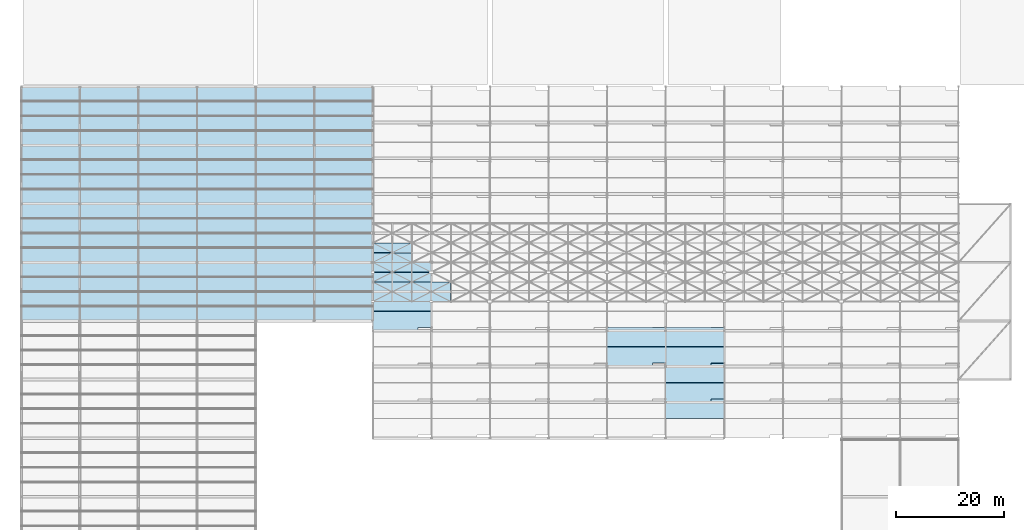
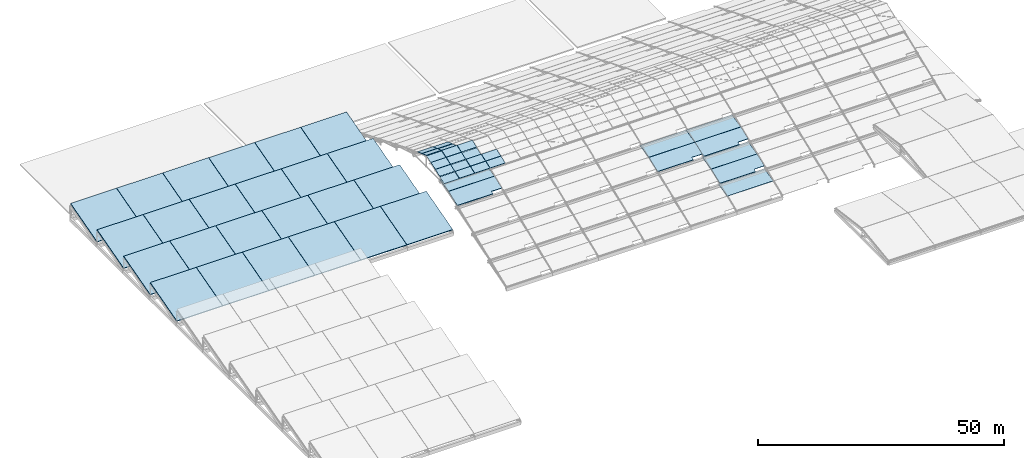
# One storey, part 97 of 112: 33 slabs, 18 plates, 7 elements without a shape of their own.
"""IFC4 building model written with IfcOpenShell, lengths in metres."""

from ifc_helpers import new_model, si_unit, direction, frame, origin, place, context, subcontext, project, spatial, polyline, outline, extrude, material, layer, layer_set, type_object, element, aggregate, save


model = new_model("IFC4")

# Units and contexts
model_context = context("Model", 3, precision=1e-05, world=origin(), true_north=direction((0.0, 1.0)))
body_context = subcontext(model_context, "Body", "Model", "MODEL_VIEW")
ifc_project = project(units=[si_unit("LENGTHUNIT", "METRE"), si_unit("AREAUNIT", "SQUARE_METRE"), si_unit("VOLUMEUNIT", "CUBIC_METRE"), si_unit("PLANEANGLEUNIT", "RADIAN"), si_unit("MASSUNIT", "GRAM", prefix="KILO")], contexts=[model_context])

# Site, building, storey
site_placement = place(None, origin())
site = spatial("IfcSite", under=ifc_project, at=site_placement, CompositionType="ELEMENT")
building_placement = place(site_placement, origin())
building = spatial("IfcBuilding", under=site, at=building_placement, Name="Zwinboog Wholesale Market", CompositionType="ELEMENT")
storey_placement = place(building_placement, frame((0.0, 0.0, 19.080078125)))
storey = spatial("IfcBuildingStorey", under=building, at=storey_placement, Name="Roof", CompositionType="ELEMENT", Elevation=19.080078125)

# Roof, slabs
ifc_material_1 = material(Name="Concrete C50/60", Category="concrete")
roof_type_1 = type_object("IfcRoofType", Name="RFT-SHELL-BARREL", PredefinedType="BARREL_ROOF", material=ifc_material_1)
roof_1_placement = place(storey_placement, origin())
roof_1 = element("IfcRoof", 1, at=roof_1_placement, inside=storey, type_object=roof_type_1, Name="RF-SH (ROOF-BARREL-01)", PredefinedType="BARREL_ROOF")
ifc_layer_1 = layer(ifc_material_1, 0.159912109375)
ifc_layer_set_1 = layer_set([ifc_layer_1], Name="Concrete C50/60")
slab_type_1 = type_object("IfcSlabType", Name="SLT-SH-160", PredefinedType="ROOF", material=ifc_layer_set_1)
slab_1_placement = place(storey_placement, frame((118.81005859375, 46.81005859375, -8.135009765625), z_axis=(0.0, -0.219374447053, 0.975640739197), x_axis=(1.0, 0.0, 0.0)))
slab_1 = element("IfcSlab", 2, at=slab_1_placement, type_object=slab_type_1, Name="SH-160 (SLB-SH-ST1-B06-2)", PredefinedType="ROOF", context=body_context, shape_type="SweptSolid", body=[
    extrude(outline(polyline([(0.0, 0.0), (10.780029296875, 0.0), (10.780029296875, 3.6692133082944967), (0.0, 3.6692133082944967), (0.0, 0.0)])), origin(), (0.0, 0.0, -1.0), 0.159912109375),
])
ifc_layer_2 = layer(ifc_material_1, 0.172119140625)
ifc_layer_set_2 = layer_set([ifc_layer_2], Name="Concrete C50/60")
slab_type_2 = type_object("IfcSlabType", Name="SLT-SH-172", PredefinedType="ROOF", material=ifc_layer_set_2)
slab_2_placement = place(storey_placement, frame((118.81005859375, 49.81005859375, -6.780029296875), z_axis=(1.249569e-06, -0.351705539728, 0.936110684334), x_axis=(0.999999999999, 4.3948e-07, -1.169735e-06)))
slab_2 = element("IfcSlab", 3, at=slab_2_placement, type_object=slab_type_2, Name="SH-172 (SLB-SH-ST2-B06-1)", PredefinedType="ROOF", context=body_context, shape_type="SweptSolid", body=[
    extrude(outline(polyline([(0.0, 0.0), (8.379882812493458, 0.0), (8.379882812527123, 0.6407832433051913), (10.78002929690025, 0.6407832433051913), (10.78002929687408, 3.824154487977018), (7.495290763518035e-12, 3.824154487977018), (0.0, 0.0)])), origin(), (0.0, 0.0, -1.0), 0.172119140625),
])
slab_3_placement = place(storey_placement, frame((118.81005859375, 53.409912109375, -5.43505859375), z_axis=(0.0, -0.219360206869, 0.975643941017), x_axis=(1.0, 0.0, 0.0)))
slab_3 = element("IfcSlab", 4, at=slab_3_placement, type_object=slab_type_2, Name="SH-172 (SLB-SH-ST2-B06-2)", PredefinedType="ROOF", context=body_context, shape_type="SweptSolid", body=[
    extrude(outline(polyline([(0.0, 0.0), (10.780029296875, 0.0), (10.780029296875, 3.669451502225199), (0.0, 3.669451502225199), (0.0, 0.0)])), origin(), (0.0, 0.0, -1.0), 0.172119140625),
])

roof_2_placement = place(storey_placement, origin())
roof_2 = element("IfcRoof", 5, at=roof_2_placement, inside=storey, type_object=roof_type_1, Name="RF-SH (ROOF-BARREL-05)", PredefinedType="BARREL_ROOF")
ifc_layer_3 = layer(ifc_material_1, 0.18603515625)
ifc_layer_set_3 = layer_set([ifc_layer_3], Name="Concrete C50/60")
slab_type_3 = type_object("IfcSlabType", Name="SLT-SH-186", PredefinedType="ROOF", material=ifc_layer_set_3)
slab_4_placement = place(storey_placement, frame((108.010009765625, 56.409912109375, -4.080078125), z_axis=(4.693168e-06, -0.35168856816, 0.936117060524), x_axis=(0.999999999989, 1.650534e-06, -4.393355e-06)))
slab_4 = element("IfcSlab", 6, at=slab_4_placement, type_object=slab_type_3, Name="SH-186 (SLB-SH-ST3-B05-1)", PredefinedType="ROOF", context=body_context, shape_type="SweptSolid", body=[
    extrude(outline(polyline([(0.0, 0.0), (8.379882812407713, -1.7745092090793826e-21), (8.379882812882592, 0.641011787892545), (10.78002929723116, 0.641011787892545), (10.78002929686201, 3.8243830316615175), (1.0573042088097136e-10, 3.8243830316615175), (0.0, 0.0)])), origin(), (0.0, 0.0, -1.0), 0.18603515625),
])
slab_5_placement = place(storey_placement, frame((108.010009765625, 60.010009765625, -2.735107421875), z_axis=(0.0, -0.219360206869, 0.975643941017), x_axis=(1.0, 0.0, 0.0)))
slab_5 = element("IfcSlab", 7, at=slab_5_placement, type_object=slab_type_3, Name="SH-186 (SLB-SH-ST3-B05-2)", PredefinedType="ROOF", context=body_context, shape_type="SweptSolid", body=[
    extrude(outline(polyline([(0.0, 0.0), (10.780029296875, 0.0), (10.780029296875, 3.669451502225199), (0.0, 3.669451502225199), (0.0, 0.0)])), origin(), (0.0, 0.0, -1.0), 0.18603515625),
])
aggregate(roof_2, [slab_4, slab_5])

# Slab
slab_6_placement = place(storey_placement, frame((118.81005859375, 56.409912109375, -4.080078125), z_axis=(4.693168e-06, -0.35168856816, 0.936117060524), x_axis=(0.999999999989, 1.650534e-06, -4.393355e-06)))
slab_6 = element("IfcSlab", 8, at=slab_6_placement, type_object=slab_type_3, Name="SH-186 (SLB-SH-ST3-B06-1)", PredefinedType="ROOF", context=body_context, shape_type="SweptSolid", body=[
    extrude(outline(polyline([(0.0, 0.0), (8.379882812407713, -1.7745092090793826e-21), (8.379882812882592, 0.641011787892545), (10.78002929723116, 0.641011787892545), (10.78002929686201, 3.8243830316615175), (1.0573042088097136e-10, 3.8243830316615175), (0.0, 0.0)])), origin(), (0.0, 0.0, -1.0), 0.18603515625),
])

slab_7_placement = place(storey_placement, frame((118.81005859375, 60.010009765625, -2.735107421875), z_axis=(0.0, -0.219360206869, 0.975643941017), x_axis=(1.0, 0.0, 0.0)))
slab_7 = element("IfcSlab", 9, at=slab_7_placement, type_object=slab_type_3, Name="SH-186 (SLB-SH-ST3-B06-2)", PredefinedType="ROOF", context=body_context, shape_type="SweptSolid", body=[
    extrude(outline(polyline([(0.0, 0.0), (10.780029296875, 0.0), (10.780029296875, 3.669451502225199), (0.0, 3.669451502225199), (0.0, 0.0)])), origin(), (0.0, 0.0, -1.0), 0.18603515625),
])

ifc_layer_4 = layer(ifc_material_1, 0.201904296875)
ifc_layer_set_4 = layer_set([ifc_layer_4], Name="Concrete C50/60")
slab_type_4 = type_object("IfcSlabType", Name="SLT-SH-202", PredefinedType="ROOF", material=ifc_layer_set_4)
slab_8_placement = place(storey_placement, frame((64.81005859375, 63.010009765625, -1.380126953125), z_axis=(4.693168e-06, -0.35168856816, 0.936117060524), x_axis=(0.999999999989, 1.650534e-06, -4.393355e-06)))
slab_8 = element("IfcSlab", 10, at=slab_8_placement, type_object=slab_type_4, Name="SH-202 (SLB-SH-ST4-B01-1)", PredefinedType="ROOF", context=body_context, shape_type="SweptSolid", body=[
    extrude(outline(polyline([(0.0, 0.0), (8.379882812407713, -1.7745092090793826e-21), (8.379882812882592, 0.641011787892545), (10.78002929723116, 0.641011787892545), (10.78002929686201, 3.8243830316615175), (1.0573042088097136e-10, 3.8243830316615175), (0.0, 0.0)])), origin(), (0.0, 0.0, -1.0), 0.201904296875),
])

slab_9_placement = place(storey_placement, frame((64.81005859375, 66.610107421875, -0.03515625), z_axis=(0.0, -0.219437781128, 0.975626496265), x_axis=(1.0, 0.0, 0.0)))
slab_9 = element("IfcSlab", 11, at=slab_9_placement, type_object=slab_type_4, Name="SH-202 (SLB-SH-ST4-B01-2)", PredefinedType="ROOF", context=body_context, shape_type="SweptSolid", body=[
    extrude(outline(polyline([(0.0, 0.0), (10.780029296875, 0.0), (10.780029296875, 3.669266874240375), (0.0, 3.669266874240375), (0.0, 0.0)])), origin(), (0.0, 0.0, -1.0), 0.201904296875),
])

aggregate(roof_1, [slab_8, slab_9, slab_1, slab_2, slab_3, slab_6, slab_7])

# Roof, slab
ifc_material_2 = material(Name="Precast concrete C45/55", Category="concrete")
roof_type_2 = type_object("IfcRoofType", Name="RFT-PAV-ROOF", PredefinedType="PAVILION_ROOF", material=ifc_material_2)
roof_3_placement = place(storey_placement, origin())
roof_3 = element("IfcRoof", 12, at=roof_3_placement, inside=storey, type_object=roof_type_2, Name="RF-PV (ROOF-PAV-01)", PredefinedType="PAVILION_ROOF")
ifc_layer_5 = layer(ifc_material_2, 0.214111328125)
ifc_layer_set_5 = layer_set([ifc_layer_5], Name="Precast concrete C45/55")
slab_type_5 = type_object("IfcSlabType", Name="SLT-RF-214", PredefinedType="ROOF", material=ifc_layer_set_5)
slab_10_placement = place(storey_placement, frame((10.820068359375, 64.820068359375, -8.43017578125), z_axis=(0.0, -0.268566954863, 0.963261019016), x_axis=(1.0, 0.0, 0.0)))
slab_10 = element("IfcSlab", 13, at=slab_10_placement, type_object=slab_type_5, Name="SR-214 (SLB-NL-026)", PredefinedType="ROOF", context=body_context, shape_type="SweptSolid", body=[
    extrude(outline(polyline([(0.0, 0.0), (10.760009765625, 0.0), (10.760009765625, 11.170398836046337), (0.0, 11.170398836046337), (0.0, 0.0)])), origin(), (0.0, 0.0, -1.0), 0.214111328125),
])

roof_4_placement = place(storey_placement, origin())
roof_4 = element("IfcRoof", 14, at=roof_4_placement, inside=storey, type_object=roof_type_2, Name="RF-PV (ROOF-PAV-03)", PredefinedType="PAVILION_ROOF")
slab_11_placement = place(storey_placement, frame((32.419921875, 64.820068359375, -8.43017578125), z_axis=(0.0, -0.268566954863, 0.963261019016), x_axis=(1.0, 0.0, 0.0)))
slab_11 = element("IfcSlab", 15, at=slab_11_placement, type_object=slab_type_5, Name="SR-214 (SLB-NL-028)", PredefinedType="ROOF", context=body_context, shape_type="SweptSolid", body=[
    extrude(outline(polyline([(0.0, 0.0), (10.760009765625, 0.0), (10.760009765625, 11.170398836046337), (0.0, 11.170398836046337), (0.0, 0.0)])), origin(), (0.0, 0.0, -1.0), 0.214111328125),
])

roof_5_placement = place(storey_placement, origin())
roof_5 = element("IfcRoof", 16, at=roof_5_placement, inside=storey, type_object=roof_type_2, Name="RF-PV (ROOF-PAV-05)", PredefinedType="PAVILION_ROOF")
slab_12_placement = place(storey_placement, frame((10.820068359375, 75.6201171875, -8.43017578125), z_axis=(0.0, -0.268572609135, 0.96325944253), x_axis=(1.0, 0.0, 0.0)))
slab_12 = element("IfcSlab", 17, at=slab_12_placement, type_object=slab_type_5, Name="SR-214 (SLB-NL-030)", PredefinedType="ROOF", context=body_context, shape_type="SweptSolid", body=[
    extrude(outline(polyline([(0.0, 0.0), (10.760009765625, 0.0), (10.760009765625, 11.170163665091557), (0.0, 11.170163665091557), (0.0, 0.0)])), origin(), (0.0, 0.0, -1.0), 0.214111328125),
])

roof_6_placement = place(storey_placement, origin())
roof_6 = element("IfcRoof", 18, at=roof_6_placement, inside=storey, type_object=roof_type_2, Name="RF-PV (ROOF-PAV-02)", PredefinedType="PAVILION_ROOF")
slab_13_placement = place(storey_placement, frame((32.419921875, 75.6201171875, -8.43017578125), z_axis=(0.0, -0.268572609135, 0.96325944253), x_axis=(1.0, 0.0, 0.0)))
slab_13 = element("IfcSlab", 19, at=slab_13_placement, type_object=slab_type_5, Name="SR-214 (SLB-NL-032)", PredefinedType="ROOF", context=body_context, shape_type="SweptSolid", body=[
    extrude(outline(polyline([(0.0, 0.0), (10.760009765625, 0.0), (10.760009765625, 11.170163665091557), (0.0, 11.170163665091557), (0.0, 0.0)])), origin(), (0.0, 0.0, -1.0), 0.214111328125),
])

roof_7_placement = place(storey_placement, origin())
roof_7 = element("IfcRoof", 20, at=roof_7_placement, inside=storey, type_object=roof_type_2, Name="RF-PV (ROOF-PAV-04)", PredefinedType="PAVILION_ROOF")
slab_14_placement = place(storey_placement, frame((10.820068359375, 86.419921875, -8.43017578125), z_axis=(0.0, -0.268566954863, 0.963261019016), x_axis=(1.0, 0.0, 0.0)))
slab_14 = element("IfcSlab", 21, at=slab_14_placement, type_object=slab_type_5, Name="SR-214 (SLB-NL-034)", PredefinedType="ROOF", context=body_context, shape_type="SweptSolid", body=[
    extrude(outline(polyline([(0.0, 0.0), (10.760009765625, 0.0), (10.760009765625, 11.170398836046337), (0.0, 11.170398836046337), (0.0, 0.0)])), origin(), (0.0, 0.0, -1.0), 0.214111328125),
])

# Slab
slab_15_placement = place(storey_placement, frame((32.419921875, 86.419921875, -8.43017578125), z_axis=(0.0, -0.268566954863, 0.963261019016), x_axis=(1.0, 0.0, 0.0)))
slab_15 = element("IfcSlab", 22, at=slab_15_placement, type_object=slab_type_5, Name="SR-214 (SLB-NL-036)", PredefinedType="ROOF", context=body_context, shape_type="SweptSolid", body=[
    extrude(outline(polyline([(0.0, 0.0), (10.760009765625, 0.0), (10.760009765625, 11.170398836046337), (0.0, 11.170398836046337), (0.0, 0.0)])), origin(), (0.0, 0.0, -1.0), 0.214111328125),
])

slab_16_placement = place(storey_placement, frame((10.820068359375, 97.219970703125, -8.43017578125), z_axis=(0.0, -0.268566954863, 0.963261019016), x_axis=(1.0, 0.0, 0.0)))
slab_16 = element("IfcSlab", 23, at=slab_16_placement, type_object=slab_type_5, Name="SR-214 (SLB-NL-038)", PredefinedType="ROOF", context=body_context, shape_type="SweptSolid", body=[
    extrude(outline(polyline([(0.0, 0.0), (10.760009765625, 0.0), (10.760009765625, 11.170398836046337), (0.0, 11.170398836046337), (0.0, 0.0)])), origin(), (0.0, 0.0, -1.0), 0.214111328125),
])

slab_17_placement = place(storey_placement, frame((32.419921875, 97.219970703125, -8.43017578125), z_axis=(0.0, -0.268566954863, 0.963261019016), x_axis=(1.0, 0.0, 0.0)))
slab_17 = element("IfcSlab", 24, at=slab_17_placement, type_object=slab_type_5, Name="SR-214 (SLB-NL-040)", PredefinedType="ROOF", context=body_context, shape_type="SweptSolid", body=[
    extrude(outline(polyline([(0.0, 0.0), (10.760009765625, 0.0), (10.760009765625, 11.170398836046337), (0.0, 11.170398836046337), (0.0, 0.0)])), origin(), (0.0, 0.0, -1.0), 0.214111328125),
])

slab_18_placement = place(storey_placement, frame((54.02001953125, 64.820068359375, -8.43017578125), z_axis=(0.0, -0.268566954863, 0.963261019016), x_axis=(1.0, 0.0, 0.0)))
slab_18 = element("IfcSlab", 25, at=slab_18_placement, type_object=slab_type_5, Name="SR-214 (SLB-NL-042)", PredefinedType="ROOF", context=body_context, shape_type="SweptSolid", body=[
    extrude(outline(polyline([(0.0, 0.0), (10.760009765625, 0.0), (10.760009765625, 11.170398836046337), (0.0, 11.170398836046337), (0.0, 0.0)])), origin(), (0.0, 0.0, -1.0), 0.214111328125),
])

slab_19_placement = place(storey_placement, frame((54.02001953125, 75.6201171875, -8.43017578125), z_axis=(0.0, -0.268572609135, 0.96325944253), x_axis=(1.0, 0.0, 0.0)))
slab_19 = element("IfcSlab", 26, at=slab_19_placement, type_object=slab_type_5, Name="SR-214 (SLB-NL-044)", PredefinedType="ROOF", context=body_context, shape_type="SweptSolid", body=[
    extrude(outline(polyline([(0.0, 0.0), (10.760009765625, 0.0), (10.760009765625, 11.170163665091557), (0.0, 11.170163665091557), (0.0, 0.0)])), origin(), (0.0, 0.0, -1.0), 0.214111328125),
])

slab_20_placement = place(storey_placement, frame((54.02001953125, 86.419921875, -8.43017578125), z_axis=(0.0, -0.268566954863, 0.963261019016), x_axis=(1.0, 0.0, 0.0)))
slab_20 = element("IfcSlab", 27, at=slab_20_placement, type_object=slab_type_5, Name="SR-214 (SLB-NL-046)", PredefinedType="ROOF", context=body_context, shape_type="SweptSolid", body=[
    extrude(outline(polyline([(0.0, 0.0), (10.760009765625, 0.0), (10.760009765625, 11.170398836046337), (0.0, 11.170398836046337), (0.0, 0.0)])), origin(), (0.0, 0.0, -1.0), 0.214111328125),
])

slab_21_placement = place(storey_placement, frame((54.02001953125, 97.219970703125, -8.43017578125), z_axis=(0.0, -0.268566954863, 0.963261019016), x_axis=(1.0, 0.0, 0.0)))
slab_21 = element("IfcSlab", 28, at=slab_21_placement, type_object=slab_type_5, Name="SR-214 (SLB-NL-048)", PredefinedType="ROOF", context=body_context, shape_type="SweptSolid", body=[
    extrude(outline(polyline([(0.0, 0.0), (10.760009765625, 0.0), (10.760009765625, 11.170398836046337), (0.0, 11.170398836046337), (0.0, 0.0)])), origin(), (0.0, 0.0, -1.0), 0.214111328125),
])

ifc_layer_6 = layer(ifc_material_2, 0.22607421875)
ifc_layer_set_6 = layer_set([ifc_layer_6], Name="Precast concrete C45/55")
slab_type_6 = type_object("IfcSlabType", Name="SLT-RF-226", PredefinedType="ROOF", material=ifc_layer_set_6)
slab_22_placement = place(storey_placement, frame((0.02001953125, 64.820068359375, -8.43017578125), z_axis=(0.0, -0.268566954863, 0.963261019016), x_axis=(1.0, 0.0, 0.0)))
slab_22 = element("IfcSlab", 29, at=slab_22_placement, type_object=slab_type_6, Name="SR-226 (SLB-NL-025)", PredefinedType="ROOF", context=body_context, shape_type="SweptSolid", body=[
    extrude(outline(polyline([(0.0, 0.0), (10.760009765625, 0.0), (10.760009765625, 11.170398836046337), (0.0, 11.170398836046337), (0.0, 0.0)])), origin(), (0.0, 0.0, -1.0), 0.22607421875),
])

slab_23_placement = place(storey_placement, frame((21.6201171875, 64.820068359375, -8.43017578125), z_axis=(0.0, -0.268566954863, 0.963261019016), x_axis=(1.0, 0.0, 0.0)))
slab_23 = element("IfcSlab", 30, at=slab_23_placement, type_object=slab_type_6, Name="SR-226 (SLB-NL-027)", PredefinedType="ROOF", context=body_context, shape_type="SweptSolid", body=[
    extrude(outline(polyline([(0.0, 0.0), (10.759765625, 0.0), (10.759765625, 11.170398836046337), (0.0, 11.170398836046337), (0.0, 0.0)])), origin(), (0.0, 0.0, -1.0), 0.22607421875),
])

slab_24_placement = place(storey_placement, frame((0.02001953125, 75.6201171875, -8.43017578125), z_axis=(0.0, -0.268572609135, 0.96325944253), x_axis=(1.0, 0.0, 0.0)))
slab_24 = element("IfcSlab", 31, at=slab_24_placement, type_object=slab_type_6, Name="SR-226 (SLB-NL-029)", PredefinedType="ROOF", context=body_context, shape_type="SweptSolid", body=[
    extrude(outline(polyline([(0.0, 0.0), (10.760009765625, 0.0), (10.760009765625, 11.170163665091557), (0.0, 11.170163665091557), (0.0, 0.0)])), origin(), (0.0, 0.0, -1.0), 0.22607421875),
])

slab_25_placement = place(storey_placement, frame((21.6201171875, 75.6201171875, -8.43017578125), z_axis=(0.0, -0.268572609135, 0.96325944253), x_axis=(1.0, 0.0, 0.0)))
slab_25 = element("IfcSlab", 32, at=slab_25_placement, type_object=slab_type_6, Name="SR-226 (SLB-NL-031)", PredefinedType="ROOF", context=body_context, shape_type="SweptSolid", body=[
    extrude(outline(polyline([(0.0, 0.0), (10.759765625, 0.0), (10.759765625, 11.170163665091557), (0.0, 11.170163665091557), (0.0, 0.0)])), origin(), (0.0, 0.0, -1.0), 0.22607421875),
])

slab_26_placement = place(storey_placement, frame((0.02001953125, 86.419921875, -8.43017578125), z_axis=(0.0, -0.268566954863, 0.963261019016), x_axis=(1.0, 0.0, 0.0)))
slab_26 = element("IfcSlab", 33, at=slab_26_placement, type_object=slab_type_6, Name="SR-226 (SLB-NL-033)", PredefinedType="ROOF", context=body_context, shape_type="SweptSolid", body=[
    extrude(outline(polyline([(0.0, 0.0), (10.760009765625, 0.0), (10.760009765625, 11.170398836046337), (0.0, 11.170398836046337), (0.0, 0.0)])), origin(), (0.0, 0.0, -1.0), 0.22607421875),
])

slab_27_placement = place(storey_placement, frame((21.6201171875, 86.419921875, -8.43017578125), z_axis=(0.0, -0.268566954863, 0.963261019016), x_axis=(1.0, 0.0, 0.0)))
slab_27 = element("IfcSlab", 34, at=slab_27_placement, type_object=slab_type_6, Name="SR-226 (SLB-NL-035)", PredefinedType="ROOF", context=body_context, shape_type="SweptSolid", body=[
    extrude(outline(polyline([(0.0, 0.0), (10.759765625, 0.0), (10.759765625, 11.170398836046337), (0.0, 11.170398836046337), (0.0, 0.0)])), origin(), (0.0, 0.0, -1.0), 0.22607421875),
])

slab_28_placement = place(storey_placement, frame((0.02001953125, 97.219970703125, -8.43017578125), z_axis=(0.0, -0.268566954863, 0.963261019016), x_axis=(1.0, 0.0, 0.0)))
slab_28 = element("IfcSlab", 35, at=slab_28_placement, type_object=slab_type_6, Name="SR-226 (SLB-NL-037)", PredefinedType="ROOF", context=body_context, shape_type="SweptSolid", body=[
    extrude(outline(polyline([(0.0, 0.0), (10.760009765625, 0.0), (10.760009765625, 11.170398836046337), (0.0, 11.170398836046337), (0.0, 0.0)])), origin(), (0.0, 0.0, -1.0), 0.22607421875),
])

slab_29_placement = place(storey_placement, frame((21.6201171875, 97.219970703125, -8.43017578125), z_axis=(0.0, -0.268566954863, 0.963261019016), x_axis=(1.0, 0.0, 0.0)))
slab_29 = element("IfcSlab", 36, at=slab_29_placement, type_object=slab_type_6, Name="SR-226 (SLB-NL-039)", PredefinedType="ROOF", context=body_context, shape_type="SweptSolid", body=[
    extrude(outline(polyline([(0.0, 0.0), (10.759765625, 0.0), (10.759765625, 11.170398836046337), (0.0, 11.170398836046337), (0.0, 0.0)])), origin(), (0.0, 0.0, -1.0), 0.22607421875),
])

aggregate(roof_7, [slab_24, slab_14, slab_29, slab_19])

slab_30_placement = place(storey_placement, frame((43.219970703125, 64.820068359375, -8.43017578125), z_axis=(0.0, -0.268566954863, 0.963261019016), x_axis=(1.0, 0.0, 0.0)))
slab_30 = element("IfcSlab", 37, at=slab_30_placement, type_object=slab_type_6, Name="SR-226 (SLB-NL-041)", PredefinedType="ROOF", context=body_context, shape_type="SweptSolid", body=[
    extrude(outline(polyline([(0.0, 0.0), (10.760009765625, 0.0), (10.760009765625, 11.170398836046337), (0.0, 11.170398836046337), (0.0, 0.0)])), origin(), (0.0, 0.0, -1.0), 0.22607421875),
])

aggregate(roof_3, [slab_10, slab_25, slab_15, slab_30, slab_20])

slab_31_placement = place(storey_placement, frame((43.219970703125, 75.6201171875, -8.43017578125), z_axis=(0.0, -0.268572609135, 0.96325944253), x_axis=(1.0, 0.0, 0.0)))
slab_31 = element("IfcSlab", 38, at=slab_31_placement, type_object=slab_type_6, Name="SR-226 (SLB-NL-043)", PredefinedType="ROOF", context=body_context, shape_type="SweptSolid", body=[
    extrude(outline(polyline([(0.0, 0.0), (10.760009765625, 0.0), (10.760009765625, 11.170163665091557), (0.0, 11.170163665091557), (0.0, 0.0)])), origin(), (0.0, 0.0, -1.0), 0.22607421875),
])

aggregate(roof_4, [slab_11, slab_26, slab_16, slab_31, slab_21])

slab_32_placement = place(storey_placement, frame((43.219970703125, 86.419921875, -8.43017578125), z_axis=(0.0, -0.268566954863, 0.963261019016), x_axis=(1.0, 0.0, 0.0)))
slab_32 = element("IfcSlab", 39, at=slab_32_placement, type_object=slab_type_6, Name="SR-226 (SLB-NL-045)", PredefinedType="ROOF", context=body_context, shape_type="SweptSolid", body=[
    extrude(outline(polyline([(0.0, 0.0), (10.760009765625, 0.0), (10.760009765625, 11.170398836046337), (0.0, 11.170398836046337), (0.0, 0.0)])), origin(), (0.0, 0.0, -1.0), 0.22607421875),
])

aggregate(roof_5, [slab_22, slab_12, slab_27, slab_17, slab_32])

slab_33_placement = place(storey_placement, frame((43.219970703125, 97.219970703125, -8.43017578125), z_axis=(0.0, -0.268566954863, 0.963261019016), x_axis=(1.0, 0.0, 0.0)))
slab_33 = element("IfcSlab", 40, at=slab_33_placement, type_object=slab_type_6, Name="SR-226 (SLB-NL-047)", PredefinedType="ROOF", context=body_context, shape_type="SweptSolid", body=[
    extrude(outline(polyline([(0.0, 0.0), (10.760009765625, 0.0), (10.760009765625, 11.170398836046337), (0.0, 11.170398836046337), (0.0, 0.0)])), origin(), (0.0, 0.0, -1.0), 0.22607421875),
])

aggregate(roof_6, [slab_23, slab_13, slab_28, slab_18, slab_33])

# Plates
ifc_material_3 = material(Name="Blue solar control glass", Category="glass")
ifc_layer_7 = layer(ifc_material_3, 0.030029296875)
ifc_layer_set_7 = layer_set([ifc_layer_7], Name="Blue solar control glass")
plate_type_1 = type_object("IfcPlateType", Name="PLT-SKG-01", PredefinedType="SHEET", material=ifc_layer_set_7)
plate_1_placement = place(storey_placement, frame((64.820068359375, 68.419921875, 0.757080078125), z_axis=(0.0, -0.333825357548, 0.942634940291), x_axis=(1.0, 0.0, 0.0)))
element("IfcPlate", 41, at=plate_1_placement, inside=storey, type_object=plate_type_1, Name="SKG-01 (PLT-SKY-0002)", PredefinedType="SHEET", context=body_context, shape_type="SweptSolid", body=[
    extrude(outline(polyline([(0.0, 0.0), (3.559814453125, 0.0), (3.559814453125, 1.8671170464794682), (0.0, 1.8671170464794682), (0.0, 0.0)])), origin(), (0.0, 0.0, -1.0), 0.030029296875),
])
ifc_layer_8 = layer(ifc_material_3, 0.0380859375)
ifc_layer_set_8 = layer_set([ifc_layer_8], Name="Blue solar control glass")
plate_type_2 = type_object("IfcPlateType", Name="PLT-SKG-03", PredefinedType="SHEET", material=ifc_layer_set_8)
plate_2_placement = place(storey_placement, frame((68.419921875, 70.219970703125, 1.402587890625), z_axis=(0.0, -0.333825357548, 0.942634940291), x_axis=(1.0, 0.0, 0.0)))
element("IfcPlate", 42, at=plate_2_placement, inside=storey, type_object=plate_type_2, Name="SKG-03 (PLT-SKY-0014)", PredefinedType="SHEET", context=body_context, shape_type="SweptSolid", body=[
    extrude(outline(polyline([(0.0, 0.0), (3.56005859375, 0.0), (3.56005859375, 1.8671170464794682), (0.0, 1.8671170464794682), (0.0, 0.0)])), origin(), (0.0, 0.0, -1.0), 0.0380859375),
])
ifc_layer_9 = layer(ifc_material_3, 0.0419921875)
ifc_layer_set_9 = layer_set([ifc_layer_9], Name="Blue solar control glass")
plate_type_3 = type_object("IfcPlateType", Name="PLT-SKG-04", PredefinedType="SHEET", material=ifc_layer_set_9)
plate_3_placement = place(storey_placement, frame((64.820068359375, 73.820068359375, 2.681640625), z_axis=(0.0, -0.333825357548, 0.942634940291), x_axis=(1.0, 0.0, 0.0)))
element("IfcPlate", 43, at=plate_3_placement, inside=storey, type_object=plate_type_3, Name="SKG-04 (PLT-SKY-0006)", PredefinedType="SHEET", context=body_context, shape_type="SweptSolid", body=[
    extrude(outline(polyline([(0.0, 0.0), (3.559814453125, 0.0), (3.559814453125, 1.8671170464794682), (0.0, 1.8671170464794682), (0.0, 0.0)])), origin(), (0.0, 0.0, -1.0), 0.0419921875),
])
ifc_layer_10 = layer(ifc_material_3, 0.0458984375)
ifc_layer_set_10 = layer_set([ifc_layer_10], Name="Blue solar control glass")
plate_type_4 = type_object("IfcPlateType", Name="PLT-SKG-05", PredefinedType="SHEET", material=ifc_layer_set_10)
plate_4_placement = place(storey_placement, frame((72.02001953125, 72.02001953125, 2.048095703125), z_axis=(0.0, -0.333825357548, 0.942634940291), x_axis=(1.0, 0.0, 0.0)))
element("IfcPlate", 44, at=plate_4_placement, inside=storey, type_object=plate_type_4, Name="SKG-05 (PLT-SKY-0023)", PredefinedType="SHEET", context=body_context, shape_type="SweptSolid", body=[
    extrude(outline(polyline([(0.0, 0.0), (3.56005859375, 0.0), (3.56005859375, 1.8671170464794682), (0.0, 1.8671170464794682), (0.0, 0.0)])), origin(), (0.0, 0.0, -1.0), 0.0458984375),
])
ifc_layer_11 = layer(ifc_material_3, 0.050048828125)
ifc_layer_set_11 = layer_set([ifc_layer_11], Name="Blue solar control glass")
plate_type_5 = type_object("IfcPlateType", Name="PLT-SKG-06", PredefinedType="SHEET", material=ifc_layer_set_11)
plate_5_placement = place(storey_placement, frame((68.419921875, 75.6201171875, 3.312744140625), z_axis=(0.0, 0.333866508657, 0.942620366), x_axis=(1.0, 0.0, 0.0)))
element("IfcPlate", 45, at=plate_5_placement, inside=storey, type_object=plate_type_5, Name="SKG-06 (PLT-SKY-0017)", PredefinedType="SHEET", context=body_context, shape_type="SweptSolid", body=[
    extrude(outline(polyline([(0.0, 0.0), (3.56005859375, 0.0), (3.56005859375, 1.866886912774977), (0.0, 1.866886912774977), (0.0, 0.0)])), origin(), (0.0, 0.0, -1.0), 0.050048828125),
])
ifc_material_4 = material(Name="White insulated aluminium roof panel", Category="aluminium")
ifc_layer_12 = layer(ifc_material_4, 0.110107421875)
ifc_layer_set_12 = layer_set([ifc_layer_12], Name="White insulated aluminium roof panel")
plate_type_6 = type_object("IfcPlateType", Name="PLT-SKW-01", PredefinedType="USERDEFINED", material=ifc_layer_set_12)
plate_6_placement = place(storey_placement, frame((68.419921875, 77.419921875, 2.7353515625), z_axis=(0.0, 0.333825357548, 0.942634940291), x_axis=(1.0, 0.0, 0.0)))
element("IfcPlate", 46, at=plate_6_placement, inside=storey, type_object=plate_type_6, Name="SKW-01 (PLT-SKY-0018)", ObjectType="INSULATED_ROOF_PANEL", PredefinedType="USERDEFINED", context=body_context, shape_type="SweptSolid", body=[
    extrude(outline(polyline([(0.0, 0.0), (3.56005859375, 0.0), (3.56005859375, 1.8671170464794682), (0.0, 1.8671170464794682), (0.0, 0.0)])), origin(), (0.0, 0.0, -1.0), 0.110107421875),
])
ifc_layer_13 = layer(ifc_material_4, 0.1201171875)
ifc_layer_set_13 = layer_set([ifc_layer_13], Name="White insulated aluminium roof panel")
plate_type_7 = type_object("IfcPlateType", Name="PLT-SKW-02", PredefinedType="USERDEFINED", material=ifc_layer_set_13)
plate_7_placement = place(storey_placement, frame((64.820068359375, 70.219970703125, 1.484619140625), z_axis=(0.0, -0.333825357548, 0.942634940291), x_axis=(1.0, 0.0, 0.0)))
element("IfcPlate", 47, at=plate_7_placement, inside=storey, type_object=plate_type_7, Name="SKW-02 (PLT-SKY-0003)", ObjectType="INSULATED_ROOF_PANEL", PredefinedType="USERDEFINED", context=body_context, shape_type="SweptSolid", body=[
    extrude(outline(polyline([(0.0, 0.0), (3.559814453125, 0.0), (3.559814453125, 1.8671170464794682), (0.0, 1.8671170464794682), (0.0, 0.0)])), origin(), (0.0, 0.0, -1.0), 0.1201171875),
])
plate_8_placement = place(storey_placement, frame((68.419921875, 68.419921875, 0.846923828125), z_axis=(0.0, -0.333825357548, 0.942634940291), x_axis=(1.0, 0.0, 0.0)))
element("IfcPlate", 48, at=plate_8_placement, inside=storey, type_object=plate_type_7, Name="SKW-02 (PLT-SKY-0013)", ObjectType="INSULATED_ROOF_PANEL", PredefinedType="USERDEFINED", context=body_context, shape_type="SweptSolid", body=[
    extrude(outline(polyline([(0.0, 0.0), (3.56005859375, 0.0), (3.56005859375, 1.8671170464794682), (0.0, 1.8671170464794682), (0.0, 0.0)])), origin(), (0.0, 0.0, -1.0), 0.1201171875),
])
ifc_layer_14 = layer(ifc_material_4, 0.1298828125)
ifc_layer_set_14 = layer_set([ifc_layer_14], Name="White insulated aluminium roof panel")
plate_type_8 = type_object("IfcPlateType", Name="PLT-SKW-03", PredefinedType="USERDEFINED", material=ifc_layer_set_14)
plate_9_placement = place(storey_placement, frame((64.820068359375, 72.02001953125, 2.132080078125), z_axis=(0.0, -0.333825357548, 0.942634940291), x_axis=(1.0, 0.0, 0.0)))
element("IfcPlate", 49, at=plate_9_placement, inside=storey, type_object=plate_type_8, Name="SKW-03 (PLT-SKY-0004)", ObjectType="INSULATED_ROOF_PANEL", PredefinedType="USERDEFINED", context=body_context, shape_type="SweptSolid", body=[
    extrude(outline(polyline([(0.0, 0.0), (3.559814453125, 0.0), (3.559814453125, 1.8671170464794682), (0.0, 1.8671170464794682), (0.0, 0.0)])), origin(), (0.0, 0.0, -1.0), 0.1298828125),
])
plate_10_placement = place(storey_placement, frame((72.02001953125, 68.419921875, 0.85693359375), z_axis=(0.0, -0.333825357548, 0.942634940291), x_axis=(1.0, 0.0, 0.0)))
element("IfcPlate", 50, at=plate_10_placement, inside=storey, type_object=plate_type_8, Name="SKW-03 (PLT-SKY-0021)", ObjectType="INSULATED_ROOF_PANEL", PredefinedType="USERDEFINED", context=body_context, shape_type="SweptSolid", body=[
    extrude(outline(polyline([(0.0, 0.0), (3.56005859375, 0.0), (3.56005859375, 1.8671170464794682), (0.0, 1.8671170464794682), (0.0, 0.0)])), origin(), (0.0, 0.0, -1.0), 0.1298828125),
])
ifc_layer_15 = layer(ifc_material_4, 0.139892578125)
ifc_layer_set_15 = layer_set([ifc_layer_15], Name="White insulated aluminium roof panel")
plate_type_9 = type_object("IfcPlateType", Name="PLT-SKW-04", PredefinedType="USERDEFINED", material=ifc_layer_set_15)
for number, where, z_axis, x_axis, name in (
    (51, (68.419921875, 72.02001953125, 2.14208984375), (0.0, -0.333825357548, 0.942634940291), (1.0, 0.0, 0.0), "SKW-04 (PLT-SKY-0015)"),
    (52, (72.02001953125, 70.219970703125, 1.504638671875), (0.0, -0.333825357548, 0.942634940291), (1.0, 0.0, 0.0), "SKW-04 (PLT-SKY-0022)"),
):
    element("IfcPlate", number, at=place(storey_placement, frame(where, z_axis=z_axis, x_axis=x_axis)), inside=storey, type_object=plate_type_9, Name=name, ObjectType="INSULATED_ROOF_PANEL", PredefinedType="USERDEFINED", context=body_context, shape_type="SweptSolid", body=[
        extrude(outline(polyline([(0.0, 0.0), (3.56005859375, 0.0), (3.56005859375, 1.8671170464794682), (0.0, 1.8671170464794682), (0.0, 0.0)])), origin(), (0.0, 0.0, -1.0), 0.139892578125),
    ])
plate_11_placement = place(storey_placement, frame((75.6201171875, 68.419921875, 0.866943359375), z_axis=(0.0, -0.333825357548, 0.942634940291), x_axis=(1.0, 0.0, 0.0)))
element("IfcPlate", 53, at=plate_11_placement, inside=storey, type_object=plate_type_9, Name="SKW-04 (PLT-SKY-0030)", ObjectType="INSULATED_ROOF_PANEL", PredefinedType="USERDEFINED", context=body_context, shape_type="SweptSolid", body=[
    extrude(outline(polyline([(0.0, 0.0), (3.559814453125, 0.0), (3.559814453125, 1.8671170464794682), (0.0, 1.8671170464794682), (0.0, 0.0)])), origin(), (0.0, 0.0, -1.0), 0.139892578125),
])
ifc_layer_16 = layer(ifc_material_4, 0.14990234375)
ifc_layer_set_16 = layer_set([ifc_layer_16], Name="White insulated aluminium roof panel")
plate_type_10 = type_object("IfcPlateType", Name="PLT-SKW-05", PredefinedType="USERDEFINED", material=ifc_layer_set_16)
plate_12_placement = place(storey_placement, frame((64.820068359375, 75.6201171875, 3.412841796875), z_axis=(0.0, 0.333866508657, 0.942620366), x_axis=(1.0, 0.0, 0.0)))
element("IfcPlate", 54, at=plate_12_placement, inside=storey, type_object=plate_type_10, Name="SKW-05 (PLT-SKY-0008)", ObjectType="INSULATED_ROOF_PANEL", PredefinedType="USERDEFINED", context=body_context, shape_type="SweptSolid", body=[
    extrude(outline(polyline([(0.0, 0.0), (3.559814453125, 0.0), (3.559814453125, 1.866886912774977), (0.0, 1.866886912774977), (0.0, 0.0)])), origin(), (0.0, 0.0, -1.0), 0.14990234375),
])
plate_13_placement = place(storey_placement, frame((68.419921875, 73.820068359375, 2.78955078125), z_axis=(0.0, -0.333825357548, 0.942634940291), x_axis=(1.0, 0.0, 0.0)))
element("IfcPlate", 55, at=plate_13_placement, inside=storey, type_object=plate_type_10, Name="SKW-05 (PLT-SKY-0016)", ObjectType="INSULATED_ROOF_PANEL", PredefinedType="USERDEFINED", context=body_context, shape_type="SweptSolid", body=[
    extrude(outline(polyline([(0.0, 0.0), (3.56005859375, 0.0), (3.56005859375, 1.8671170464794682), (0.0, 1.8671170464794682), (0.0, 0.0)])), origin(), (0.0, 0.0, -1.0), 0.14990234375),
])
plate_14_placement = place(storey_placement, frame((75.6201171875, 70.219970703125, 1.514404296875), z_axis=(0.0, -0.333941536415, 0.942593788573), x_axis=(1.0, 0.0, 0.0)))
element("IfcPlate", 56, at=plate_14_placement, inside=storey, type_object=plate_type_10, Name="SKW-05 (PLT-SKY-0031)", ObjectType="INSULATED_ROOF_PANEL", PredefinedType="USERDEFINED", context=body_context, shape_type="SweptSolid", body=[
    extrude(outline(polyline([(0.0, 0.0), (3.559814453125, 0.0), (3.559814453125, 1.867198560993201), (0.0, 1.867198560993201), (0.0, 0.0)])), origin(), (0.0, 0.0, -1.0), 0.14990234375),
])
ifc_layer_17 = layer(ifc_material_4, 0.162109375)
ifc_layer_set_17 = layer_set([ifc_layer_17], Name="White insulated aluminium roof panel")
plate_type_11 = type_object("IfcPlateType", Name="PLT-SKW-06", PredefinedType="USERDEFINED", material=ifc_layer_set_17)
plate_15_placement = place(storey_placement, frame((64.820068359375, 77.419921875, 2.787353515625), z_axis=(0.0, 0.333825357548, 0.942634940291), x_axis=(1.0, 0.0, 0.0)))
element("IfcPlate", 57, at=plate_15_placement, inside=storey, type_object=plate_type_11, Name="SKW-06 (PLT-SKY-0009)", ObjectType="INSULATED_ROOF_PANEL", PredefinedType="USERDEFINED", context=body_context, shape_type="SweptSolid", body=[
    extrude(outline(polyline([(0.0, 0.0), (3.559814453125, 0.0), (3.559814453125, 1.8671170464794682), (0.0, 1.8671170464794682), (0.0, 0.0)])), origin(), (0.0, 0.0, -1.0), 0.162109375),
])
plate_16_placement = place(storey_placement, frame((72.02001953125, 73.820068359375, 2.801513671875), z_axis=(0.0, -0.333825357548, 0.942634940291), x_axis=(1.0, 0.0, 0.0)))
element("IfcPlate", 58, at=plate_16_placement, inside=storey, type_object=plate_type_11, Name="SKW-06 (PLT-SKY-0024)", ObjectType="INSULATED_ROOF_PANEL", PredefinedType="USERDEFINED", context=body_context, shape_type="SweptSolid", body=[
    extrude(outline(polyline([(0.0, 0.0), (3.56005859375, 0.0), (3.56005859375, 1.8671170464794682), (0.0, 1.8671170464794682), (0.0, 0.0)])), origin(), (0.0, 0.0, -1.0), 0.162109375),
])

save(model, "model.ifc")
